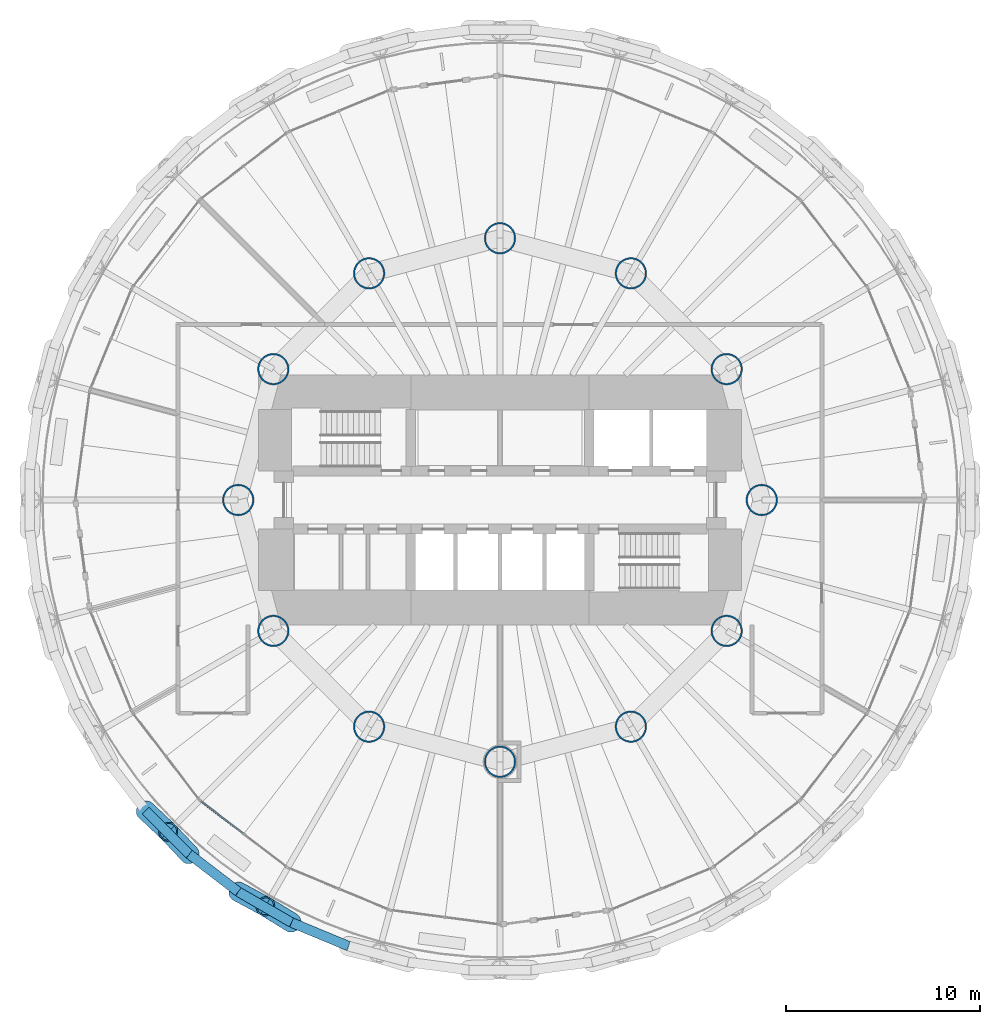
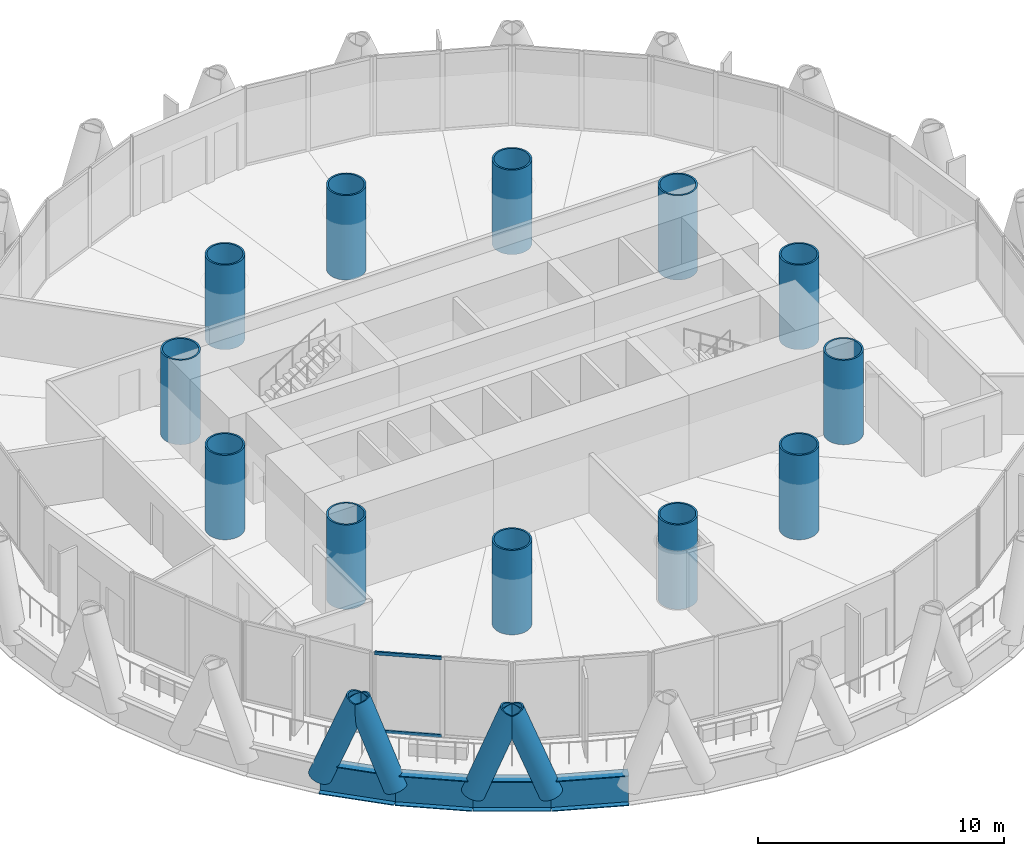
# One storey, part 1 of 15: 12 columns, 6 members, 4 beams, 1 element without a shape of its own.
"""IFC4 building model written with IfcOpenShell, lengths in metres."""

from ifc_helpers import new_model, si_unit, direction, frame, origin, origin_2d, place, context, subcontext, project, spatial, rectangle, hollow_circle, i_section, extrude, material, material_profile, profile_set, type_object, element, aggregate, save


model = new_model("IFC4")

# Units and contexts
model_context = context("Model", 3, precision=1e-05, world=origin(), true_north=direction((0.0, 1.0)))
body_context = subcontext(model_context, "Body", "Model", "MODEL_VIEW")
ifc_project = project(units=[si_unit("LENGTHUNIT", "METRE"), si_unit("AREAUNIT", "SQUARE_METRE"), si_unit("VOLUMEUNIT", "CUBIC_METRE"), si_unit("PLANEANGLEUNIT", "RADIAN"), si_unit("MASSUNIT", "GRAM", prefix="KILO")], contexts=[model_context])

# Site, building, storey
site_placement = place(None, origin())
site = spatial("IfcSite", under=ifc_project, at=site_placement, CompositionType="ELEMENT")
building_placement = place(site_placement, origin())
building = spatial("IfcBuilding", under=site, at=building_placement, Name="Qaws Media Tower", CompositionType="ELEMENT")
storey_placement = place(building_placement, frame((0.0, 0.0, 189.800048828125)))
storey = spatial("IfcBuildingStorey", under=building, at=storey_placement, Name="L43", CompositionType="ELEMENT", Elevation=189.800048828125)

# Columns
ifc_material_1 = material(Name="Steel S460", Category="steel")
ifc_material_profile_1 = material_profile(ifc_material_1, hollow_circle(Radius=0.81298828125, WallThickness=0.080078125, at=origin_2d()), Name="CHS 1626x80")
ifc_profile_set_1 = profile_set([ifc_material_profile_1], Name="Steel S460")
column_type = type_object("IfcColumnType", Name="Inner column CHS 1626x80", PredefinedType="COLUMN", material=ifc_profile_set_1)
for number, where, z_axis, x_axis, name in (
    (1, (73.5, 50.0, 0.0), (0.0, 0.0, 1.0), (1.0, 0.0, 0.0), "C6 inner column I01 L43"),
    (2, (71.69140625, 56.75, 0.0), (0.0, 0.0, 1.0), (1.0, 0.0, 0.0), "C6 inner column I02 L43"),
    (3, (66.75, 61.69140625, 0.0), (0.0, 0.0, 1.0), (1.0, 0.0, 0.0), "C6 inner column I03 L43"),
    (4, (60.0, 63.5, 0.0), (0.0, 0.0, 1.0), (1.0, 0.0, 0.0), "C6 inner column I04 L43"),
    (5, (53.25, 61.69140625, 0.0), (0.0, 0.0, 1.0), (1.0, 0.0, 0.0), "C6 inner column I05 L43"),
    (6, (48.30859375, 56.75, 0.0), (0.0, 0.0, 1.0), (1.0, 0.0, 0.0), "C6 inner column I06 L43"),
    (7, (46.5, 50.0, 0.0), (0.0, 0.0, 1.0), (1.0, 0.0, 0.0), "C6 inner column I07 L43"),
    (8, (48.30859375, 43.25, 0.0), (0.0, 0.0, 1.0), (1.0, 0.0, 0.0), "C6 inner column I08 L43"),
    (9, (53.25, 38.30859375, 0.0), (0.0, 0.0, 1.0), (1.0, 0.0, 0.0), "C6 inner column I09 L43"),
    (10, (60.0, 36.5, 0.0), (0.0, 0.0, 1.0), (1.0, 0.0, 0.0), "C6 inner column I10 L43"),
    (11, (66.75, 38.30859375, 0.0), (0.0, 0.0, 1.0), (1.0, 0.0, 0.0), "C6 inner column I11 L43"),
    (12, (71.69140625, 43.25, 0.0), (0.0, 0.0, 1.0), (1.0, 0.0, 0.0), "C6 inner column I12 L43"),
):
    element("IfcColumn", number, at=place(storey_placement, frame(where, z_axis=z_axis, x_axis=x_axis)), inside=storey, type_object=column_type, Name=name, PredefinedType="COLUMN", context=body_context, shape_type="SweptSolid", body=[
        extrude(hollow_circle(Radius=0.81298828125, WallThickness=0.080078125, at=origin_2d()), origin(), (0.0, 0.0, 1.0), 4.199951171875),
    ])

# Curtain wall, members
ifc_material_2 = material(Name="Aluminium and clear glass", Category="aluminium")
curtain_wall_type = type_object("IfcCurtainWallType", Name="Unitised curtain wall CW-B", PredefinedType="NOTDEFINED", material=ifc_material_2)
curtain_wall_placement = place(storey_placement, origin())
curtain_wall = element("IfcCurtainWall", 13, at=curtain_wall_placement, inside=storey, type_object=curtain_wall_type, Name="CWB curtain wall L43-16", PredefinedType="NOTDEFINED")
ifc_material_3 = material(Name="Aluminium transom", Category="aluminium")
ifc_material_profile_2 = material_profile(ifc_material_3, rectangle(XDim=0.080078125, YDim=0.159912109375, at=origin_2d()), Name="80x160")
ifc_profile_set_2 = profile_set([ifc_material_profile_2], Name="Aluminium transom")
member_type_1 = type_object("IfcMemberType", Name="Curtain wall transom 80x160", PredefinedType="USERDEFINED", material=ifc_profile_set_2)
member_1_placement = place(storey_placement, frame((44.577880859375, 34.465576171875, 0.0400390625), z_axis=(0.793372408644, -0.608736577842, 0.0), x_axis=(0.608736577842, 0.793372408644, 0.0)))
member_1 = element("IfcMember", 14, at=member_1_placement, type_object=member_type_1, Name="CWB transom 1.1", ObjectType="TRANSOM", PredefinedType="USERDEFINED", context=body_context, shape_type="SweptSolid", body=[
    extrude(rectangle(XDim=0.080078125, YDim=0.159912109375, at=origin_2d()), origin(), (0.0, 0.0, 1.0), 2.738525390625),
])
member_2_placement = place(storey_placement, frame((44.577880859375, 34.465576171875, 3.909912109375), z_axis=(0.793372408644, -0.608736577842, 0.0), x_axis=(0.608736577842, 0.793372408644, 0.0)))
member_2 = element("IfcMember", 15, at=member_2_placement, type_object=member_type_1, Name="CWB transom 1.2", ObjectType="TRANSOM", PredefinedType="USERDEFINED", context=body_context, shape_type="SweptSolid", body=[
    extrude(rectangle(XDim=0.080078125, YDim=0.159912109375, at=origin_2d()), origin(), (0.0, 0.0, 1.0), 2.738525390625),
])
aggregate(curtain_wall, [member_1, member_2])

# Members
ifc_material_4 = material(Name="Steel S460", Category="steel")
ifc_material_profile_3 = material_profile(ifc_material_4, hollow_circle(Radius=0.508056640625, WallThickness=0.070068359375, at=origin_2d()), Name="CHS 1016x70")
ifc_profile_set_3 = profile_set([ifc_material_profile_3], Name="Steel S460")
member_type_2 = type_object("IfcMemberType", Name="Diagrid member CHS 1016x70", PredefinedType="USERDEFINED", material=ifc_profile_set_3)
member_3_placement = place(storey_placement, frame((41.730224609375, 33.977783203125, -0.91015625), z_axis=(0.262703157273, -0.247302170828, 0.932646067628), x_axis=(0.685441328682, 0.72812786304, 0.0)))
element("IfcMember", 16, at=member_3_placement, inside=storey, type_object=member_type_2, Name="DG3 diagrid L43 A15", ObjectType="DIAGRID", PredefinedType="USERDEFINED", context=body_context, shape_type="SweptSolid", body=[
    extrude(hollow_circle(Radius=0.508056640625, WallThickness=0.070068359375, at=origin_2d()), origin(), (0.0, 0.0, 1.0), 4.406982421875),
])
member_4_placement = place(storey_placement, frame((46.499755859375, 29.795166015625, -0.91015625), z_axis=(0.317720727472, -0.170854528949, 0.932664070967), x_axis=(0.473614380652, 0.880732319402, 0.0)))
element("IfcMember", 17, at=member_4_placement, inside=storey, type_object=member_type_2, Name="DG3 diagrid L43 A16", ObjectType="DIAGRID", PredefinedType="USERDEFINED", context=body_context, shape_type="SweptSolid", body=[
    extrude(hollow_circle(Radius=0.508056640625, WallThickness=0.070068359375, at=origin_2d()), origin(), (0.0, 0.0, 1.0), 4.40673828125),
])
for number, where, z_axis, x_axis, name in (
    (18, (43.977783203125, 31.730224609375, -0.91015625), (-0.247302170828, 0.262703157273, 0.932646067628), (-0.72812786304, -0.685441328682, 0.0), "DG3 diagrid L43 B16"),
    (19, (49.25244140625, 28.2060546875, -0.91015625), (-0.306907804695, 0.189739933408, 0.932634096035), (-0.52585239263, -0.850575840925, 0.0), "DG3 diagrid L43 B17"),
):
    element("IfcMember", number, at=place(storey_placement, frame(where, z_axis=z_axis, x_axis=x_axis)), inside=storey, type_object=member_type_2, Name=name, ObjectType="DIAGRID", PredefinedType="USERDEFINED", context=body_context, shape_type="SweptSolid", body=[
        extrude(hollow_circle(Radius=0.508056640625, WallThickness=0.070068359375, at=origin_2d()), origin(), (0.0, 0.0, 1.0), 4.406982421875),
    ])

# Beams
ifc_material_5 = material(Name="Steel S460", Category="steel")
ifc_material_profile_4 = material_profile(ifc_material_5, i_section(OverallWidth=0.5, OverallDepth=1.5, WebThickness=0.02001953125, FlangeThickness=0.0400390625, at=origin_2d()), Name="PG 1500x500")
ifc_profile_set_4 = profile_set([ifc_material_profile_4], Name="Steel S460")
beam_type = type_object("IfcBeamType", Name="Edge ring beam PG 1500x500", PredefinedType="BEAM", material=ifc_profile_set_4)
beam_1_placement = place(storey_placement, frame((41.730224609375, 33.977783203125, -0.91015625), z_axis=(0.707106781187, -0.707106781187, 0.0), x_axis=(0.707106781187, 0.707106781187, 0.0)))
element("IfcBeam", 20, at=beam_1_placement, inside=storey, type_object=beam_type, Name="RB4 edge ring beam L43-30", PredefinedType="BEAM", context=body_context, shape_type="SweptSolid", body=[
    extrude(i_section(OverallWidth=0.5, OverallDepth=1.5, WebThickness=0.02001953125, FlangeThickness=0.0400390625, at=origin_2d()), origin(), (0.0, 0.0, 1.0), 3.178466796875),
])
beam_2_placement = place(storey_placement, frame((43.977783203125, 31.730224609375, -0.91015625), z_axis=(0.7933714333, -0.608737849016, 0.0), x_axis=(0.608737849016, 0.7933714333, 0.0)))
element("IfcBeam", 21, at=beam_2_placement, inside=storey, type_object=beam_type, Name="RB4 edge ring beam L43-31", PredefinedType="BEAM", context=body_context, shape_type="SweptSolid", body=[
    extrude(i_section(OverallWidth=0.5, OverallDepth=1.5, WebThickness=0.02001953125, FlangeThickness=0.0400390625, at=origin_2d()), origin(), (0.0, 0.0, 1.0), 3.1787109375),
])
for number, where, z_axis, x_axis, name in (
    (22, (46.499755859375, 29.795166015625, -0.91015625), (0.866046166898, -0.499964035507, 0.0), (0.499964035507, 0.866046166898, 0.0), "RB4 edge ring beam L43-32"),
    (23, (49.25244140625, 28.2060546875, -0.91015625), (0.923856739586, -0.382738454719, 0.0), (0.382738454719, 0.923856739586, 0.0), "RB4 edge ring beam L43-33"),
):
    element("IfcBeam", number, at=place(storey_placement, frame(where, z_axis=z_axis, x_axis=x_axis)), inside=storey, type_object=beam_type, Name=name, PredefinedType="BEAM", context=body_context, shape_type="SweptSolid", body=[
        extrude(i_section(OverallWidth=0.5, OverallDepth=1.5, WebThickness=0.02001953125, FlangeThickness=0.0400390625, at=origin_2d()), origin(), (0.0, 0.0, 1.0), 3.178466796875),
    ])

save(model, "model.ifc")
